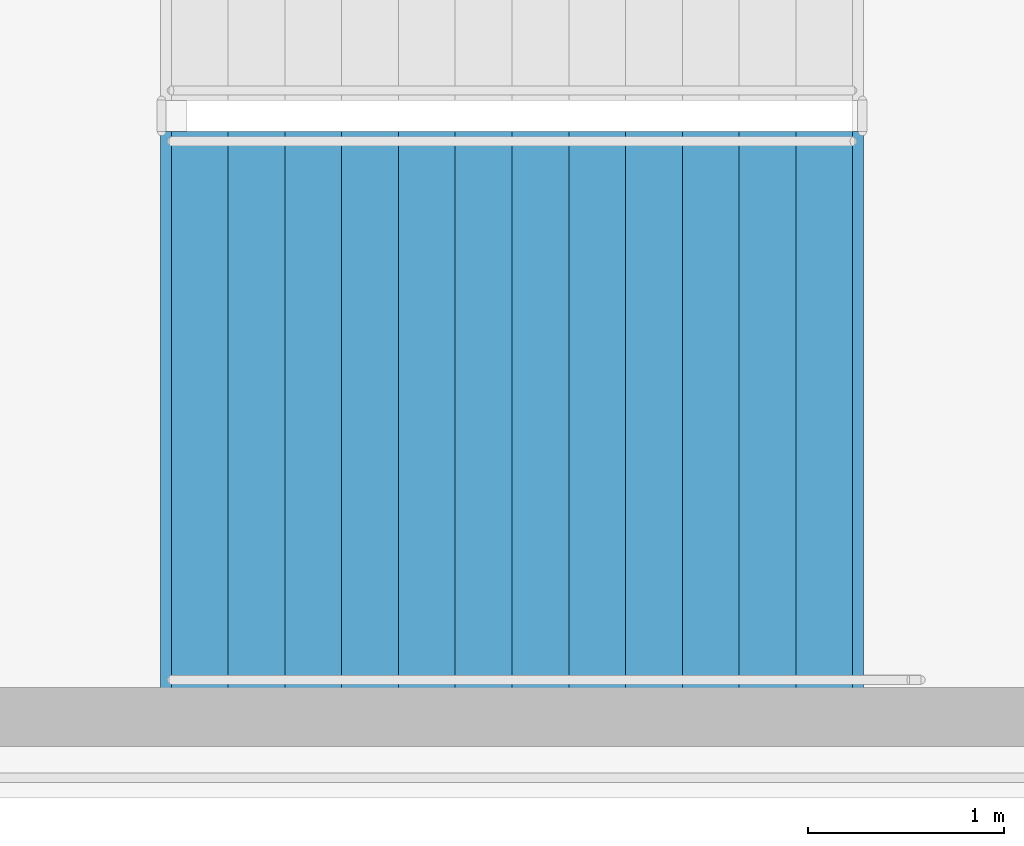
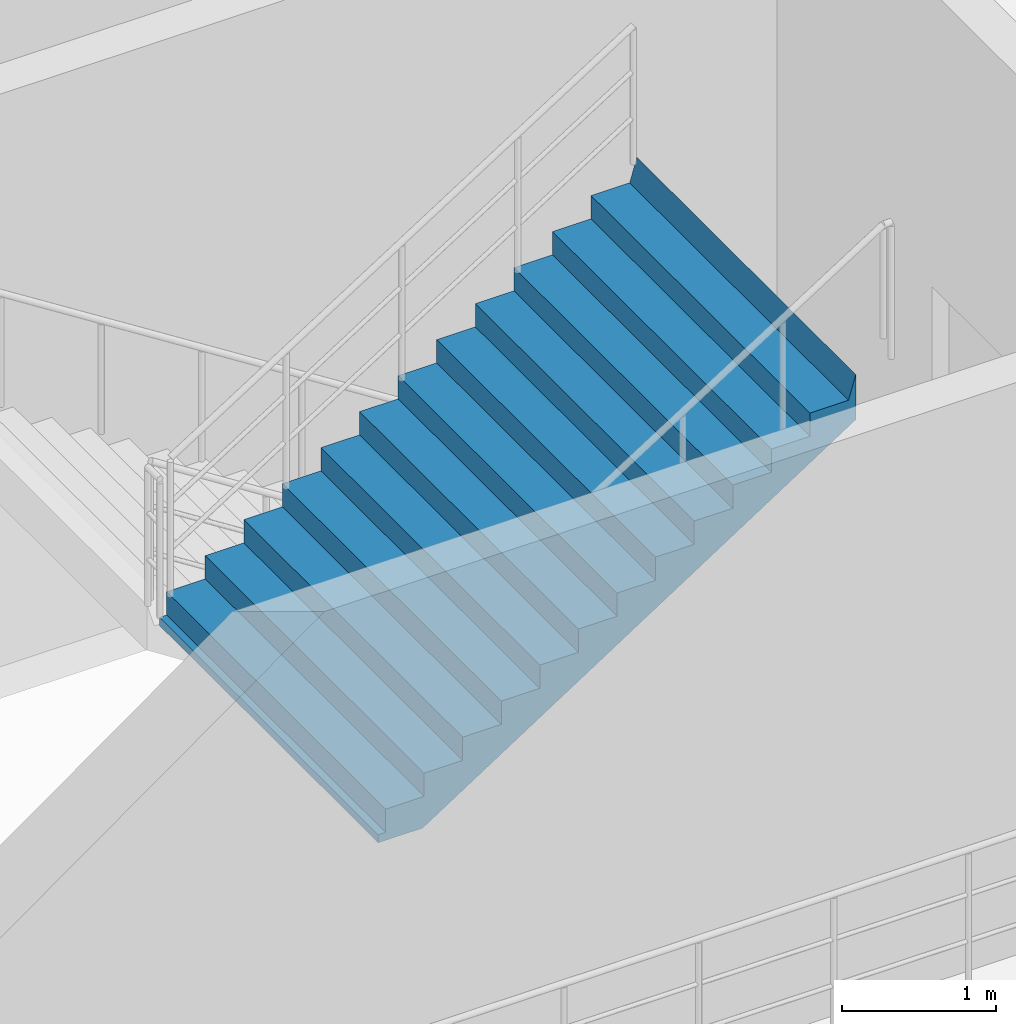
# One storey, part 124 of 144: 1 stair flight, 1 element without a shape of its own.
"""IFC4 building model written with IfcOpenShell, lengths in metres."""

from ifc_helpers import new_model, si_unit, direction, frame, origin, place, context, subcontext, project, spatial, polyline, outline, extrude, material, type_object, element, aggregate, save


model = new_model("IFC4")

# Units and contexts
model_context = context("Model", 3, precision=1e-05, world=origin(), true_north=direction((0.0, 1.0)))
body_context = subcontext(model_context, "Body", "Model", "MODEL_VIEW")
ifc_project = project(units=[si_unit("LENGTHUNIT", "METRE"), si_unit("AREAUNIT", "SQUARE_METRE"), si_unit("VOLUMEUNIT", "CUBIC_METRE"), si_unit("PLANEANGLEUNIT", "RADIAN"), si_unit("MASSUNIT", "GRAM", prefix="KILO")], contexts=[model_context])

# Site, building, storey
site_placement = place(None, origin())
site = spatial("IfcSite", under=ifc_project, at=site_placement, CompositionType="ELEMENT")
building_placement = place(site_placement, origin())
building = spatial("IfcBuilding", under=site, at=building_placement, Name="Cinderbank Siding Concert Hall", CompositionType="ELEMENT")
storey_placement = place(building_placement, frame((0.0, 0.0, 5.39990234375)))
storey = spatial("IfcBuildingStorey", under=building, at=storey_placement, Name="L02", CompositionType="ELEMENT", Elevation=5.39990234375)

# Stair, stair flight
ifc_material = material(Name="Reinforced concrete AS 3600 N50 (50 MPa)", Category="concrete")
stair_type = type_object("IfcStairType", Name="STR-J Dogleg Exit Stair 2850mm", PredefinedType="HALF_TURN_STAIR", material=ifc_material)
stair_placement = place(storey_placement, origin())
stair = element("IfcStair", 1, at=stair_placement, inside=storey, type_object=stair_type, Name="L02 East Link South Exit Stair ST-12", PredefinedType="HALF_TURN_STAIR")
stair_flight_type = type_object("IfcStairFlightType", Name="SFL-J Concrete Stair Flight 2850mm", PredefinedType="STRAIGHT", material=ifc_material)
stair_flight_placement = place(storey_placement, frame((157.3701171875, 60.27490234375, 2.400146484375), z_axis=(0.0, 0.0, 1.0), x_axis=(1.0, 0.0, 0.0)))
stair_flight = element("IfcStairFlight", 2, at=stair_flight_placement, type_object=stair_flight_type, Name="ST-12 flight 2", NumberOfRisers=13, NumberOfTreads=12, PredefinedType="STRAIGHT", RiserHeight=0.184615385, TreadLength=0.29, context=body_context, shape_type="SweptSolid", body=[
    extrude(outline(polyline([(0.0, 0.0), (0.0, 0.1845703125), (0.2900390625, 0.1845703125), (0.2900390625, 0.369140625), (0.580078125, 0.369140625), (0.580078125, 0.553955078125), (0.8701171875, 0.553955078125), (0.8701171875, 0.738525390625), (1.159912109375, 0.738525390625), (1.159912109375, 0.923095703125), (1.449951171875, 0.923095703125), (1.449951171875, 1.107666015625), (1.739990234375, 1.107666015625), (1.739990234375, 1.292236328125), (2.030029296875, 1.292236328125), (2.030029296875, 1.476806640625), (2.320068359375, 1.476806640625), (2.320068359375, 1.66162109375), (2.610107421875, 1.66162109375), (2.610107421875, 1.84619140625), (2.89990234375, 1.84619140625), (2.89990234375, 2.03076171875), (3.18994140625, 2.03076171875), (3.18994140625, 2.21533203125), (3.47998046875, 2.21533203125), (3.534912109375, 2.39990234375), (3.534912109375, 2.03759765625), (3.53466796875, 2.037841796875), (3.53466796875, 2.0380859375), (3.53466796875, 2.038330078125), (3.53466796875, 2.03857421875), (3.53466796875, 2.038818359375), (3.53466796875, 2.0390625), (3.53466796875, 2.039306640625), (3.53466796875, 2.03955078125), (3.53466796875, 2.039794921875), (3.53466796875, 2.0400390625), (3.53466796875, 2.040283203125), (3.53466796875, 2.04052734375), (3.534423828125, 2.04052734375), (3.534423828125, 2.040283203125), (3.534423828125, 2.0400390625), (3.534423828125, 2.039794921875), (3.534423828125, 2.03955078125), (3.534423828125, 2.039306640625), (3.534423828125, 2.0390625), (3.534423828125, 2.038818359375), (3.534423828125, 2.03857421875), (3.534423828125, 2.038330078125), (3.534423828125, 2.0380859375), (3.534423828125, 2.037841796875), (3.534423828125, 2.03759765625), (3.5341796875, 2.037841796875), (3.5341796875, 2.0380859375), (3.5341796875, 2.038330078125), (3.5341796875, 2.03857421875), (3.5341796875, 2.038818359375), (3.5341796875, 2.0390625), (3.5341796875, 2.039306640625), (3.5341796875, 2.03955078125), (3.5341796875, 2.039794921875), (3.5341796875, 2.0400390625), (3.5341796875, 2.040283203125), (3.5341796875, 2.04052734375), (3.533935546875, 2.04052734375), (3.533935546875, 2.040283203125), (3.533935546875, 2.0400390625), (3.533935546875, 2.039794921875), (3.533935546875, 2.03955078125), (3.533935546875, 2.039306640625), (3.533935546875, 2.0390625), (3.533935546875, 2.038818359375), (3.533935546875, 2.03857421875), (3.533935546875, 2.038330078125), (3.533935546875, 2.0380859375), (3.533935546875, 2.037841796875), (3.533935546875, 2.03759765625), (3.53369140625, 2.037841796875), (3.53369140625, 2.0380859375), (3.53369140625, 2.038330078125), (3.53369140625, 2.03857421875), (3.53369140625, 2.038818359375), (3.53369140625, 2.0390625), (3.53369140625, 2.039306640625), (3.53369140625, 2.03955078125), (3.53369140625, 2.039794921875), (3.53369140625, 2.0400390625), (3.53369140625, 2.040283203125), (3.53369140625, 2.04052734375), (3.533447265625, 2.04052734375), (3.533447265625, 2.040283203125), (3.533447265625, 2.0400390625), (3.533447265625, 2.039794921875), (3.533447265625, 2.03955078125), (3.533447265625, 2.039306640625), (3.533447265625, 2.0390625), (3.533447265625, 2.038818359375), (3.533447265625, 2.03857421875), (3.533447265625, 2.038330078125), (3.533447265625, 2.0380859375), (3.533447265625, 2.037841796875), (3.533447265625, 2.03759765625), (3.533203125, 2.037841796875), (3.533203125, 2.0380859375), (3.533203125, 2.038330078125), (3.533203125, 2.03857421875), (3.533203125, 2.038818359375), (3.533203125, 2.0390625), (3.533203125, 2.039306640625), (3.533203125, 2.03955078125), (3.533203125, 2.039794921875), (3.533203125, 2.0400390625), (3.533203125, 2.040283203125), (3.533203125, 2.04052734375), (3.532958984375, 2.04052734375), (3.532958984375, 2.040283203125), (3.532958984375, 2.0400390625), (3.532958984375, 2.039794921875), (3.532958984375, 2.03955078125), (3.532958984375, 2.039306640625), (3.532958984375, 2.0390625), (3.532958984375, 2.038818359375), (3.532958984375, 2.03857421875), (3.532958984375, 2.038330078125), (3.532958984375, 2.0380859375), (3.532958984375, 2.037841796875), (3.532958984375, 2.03759765625), (3.53271484375, 2.037841796875), (3.53271484375, 2.0380859375), (3.53271484375, 2.038330078125), (3.53271484375, 2.03857421875), (3.53271484375, 2.038818359375), (3.53271484375, 2.0390625), (3.53271484375, 2.039306640625), (3.53271484375, 2.03955078125), (3.53271484375, 2.039794921875), (3.53271484375, 2.0400390625), (3.53271484375, 2.040283203125), (3.53271484375, 2.04052734375), (3.532470703125, 2.04052734375), (3.532470703125, 2.040283203125), (3.532470703125, 2.0400390625), (3.532470703125, 2.039794921875), (3.532470703125, 2.03955078125), (3.532470703125, 2.039306640625), (3.532470703125, 2.0390625), (3.532470703125, 2.038818359375), (3.532470703125, 2.03857421875), (3.532470703125, 2.038330078125), (3.532470703125, 2.0380859375), (3.532470703125, 2.037841796875), (3.532470703125, 2.03759765625), (3.5322265625, 2.037841796875), (3.5322265625, 2.0380859375), (3.5322265625, 2.038330078125), (3.5322265625, 2.03857421875), (3.5322265625, 2.038818359375), (3.5322265625, 2.0390625), (3.5322265625, 2.039306640625), (3.5322265625, 2.03955078125), (3.5322265625, 2.039794921875), (3.5322265625, 2.0400390625), (3.5322265625, 2.040283203125), (3.5322265625, 2.04052734375), (3.531982421875, 2.04052734375), (3.531982421875, 2.040283203125), (3.531982421875, 2.0400390625), (3.531982421875, 2.039794921875), (3.531982421875, 2.03955078125), (3.531982421875, 2.039306640625), (3.531982421875, 2.0390625), (3.531982421875, 2.038818359375), (3.531982421875, 2.03857421875), (3.531982421875, 2.038330078125), (3.531982421875, 2.0380859375), (3.531982421875, 2.037841796875), (3.531982421875, 2.03759765625), (3.53173828125, 2.037841796875), (3.53173828125, 2.0380859375), (3.53173828125, 2.038330078125), (3.53173828125, 2.03857421875), (3.53173828125, 2.038818359375), (3.53173828125, 2.0390625), (3.53173828125, 2.039306640625), (3.53173828125, 2.03955078125), (3.53173828125, 2.039794921875), (3.53173828125, 2.0400390625), (3.53173828125, 2.040283203125), (3.53173828125, 2.04052734375), (3.531494140625, 2.04052734375), (3.531494140625, 2.040283203125), (3.531494140625, 2.0400390625), (3.531494140625, 2.039794921875), (3.531494140625, 2.03955078125), (3.531494140625, 2.039306640625), (3.531494140625, 2.0390625), (3.531494140625, 2.038818359375), (3.531494140625, 2.03857421875), (3.531494140625, 2.038330078125), (3.531494140625, 2.0380859375), (3.531494140625, 2.037841796875), (3.531494140625, 2.03759765625), (3.53125, 2.037841796875), (3.53125, 2.0380859375), (3.53125, 2.038330078125), (3.53125, 2.03857421875), (3.53125, 2.038818359375), (3.53125, 2.0390625), (3.53125, 2.039306640625), (3.53125, 2.03955078125), (3.53125, 2.039794921875), (3.53125, 2.0400390625), (3.53125, 2.040283203125), (3.53125, 2.04052734375), (3.531005859375, 2.04052734375), (3.531005859375, 2.040283203125), (3.531005859375, 2.0400390625), (3.531005859375, 2.039794921875), (3.531005859375, 2.03955078125), (3.531005859375, 2.039306640625), (3.531005859375, 2.0390625), (3.531005859375, 2.038818359375), (3.531005859375, 2.03857421875), (3.531005859375, 2.038330078125), (3.531005859375, 2.0380859375), (3.531005859375, 2.037841796875), (3.531005859375, 2.03759765625), (3.53076171875, 2.037841796875), (3.53076171875, 2.0380859375), (3.53076171875, 2.038330078125), (3.53076171875, 2.03857421875), (3.53076171875, 2.038818359375), (3.53076171875, 2.0390625), (3.53076171875, 2.039306640625), (3.53076171875, 2.03955078125), (3.53076171875, 2.039794921875), (3.53076171875, 2.0400390625), (3.53076171875, 2.040283203125), (3.53076171875, 2.04052734375), (3.530517578125, 2.04052734375), (3.530517578125, 2.040283203125), (3.530517578125, 2.0400390625), (3.530517578125, 2.039794921875), (3.530517578125, 2.03955078125), (3.530517578125, 2.039306640625), (3.530517578125, 2.0390625), (3.530517578125, 2.038818359375), (3.530517578125, 2.03857421875), (3.530517578125, 2.038330078125), (3.530517578125, 2.0380859375), (3.530517578125, 2.037841796875), (3.530517578125, 2.03759765625), (3.5302734375, 2.037841796875), (3.5302734375, 2.0380859375), (3.5302734375, 2.038330078125), (3.5302734375, 2.03857421875), (3.5302734375, 2.038818359375), (3.5302734375, 2.0390625), (3.5302734375, 2.039306640625), (3.5302734375, 2.03955078125), (3.5302734375, 2.039794921875), (3.5302734375, 2.0400390625), (3.5302734375, 2.040283203125), (3.5302734375, 2.04052734375), (3.530029296875, 2.04052734375), (3.530029296875, 2.040283203125), (3.530029296875, 2.0400390625), (3.530029296875, 2.039794921875), (3.530029296875, 2.03955078125), (3.530029296875, 2.039306640625), (3.530029296875, 2.0390625), (3.530029296875, 2.038818359375), (3.530029296875, 2.03857421875), (3.530029296875, 2.038330078125), (3.530029296875, 2.0380859375), (3.530029296875, 2.037841796875), (3.530029296875, 2.03759765625), (3.52978515625, 2.037841796875), (3.52978515625, 2.0380859375), (3.52978515625, 2.038330078125), (3.52978515625, 2.03857421875), (3.52978515625, 2.038818359375), (3.52978515625, 2.0390625), (3.52978515625, 2.039306640625), (3.52978515625, 2.03955078125), (3.52978515625, 2.039794921875), (3.52978515625, 2.0400390625), (3.52978515625, 2.040283203125), (3.52978515625, 2.04052734375), (3.529541015625, 2.04052734375), (3.529541015625, 2.040283203125), (3.529541015625, 2.0400390625), (3.529541015625, 2.039794921875), (3.529541015625, 2.03955078125), (3.529541015625, 2.039306640625), (3.529541015625, 2.0390625), (3.529541015625, 2.038818359375), (3.529541015625, 2.03857421875), (3.529541015625, 2.038330078125), (3.529541015625, 2.0380859375), (3.529541015625, 2.037841796875), (3.529541015625, 2.03759765625), (3.529296875, 2.037841796875), (3.529296875, 2.0380859375), (3.529296875, 2.038330078125), (3.529296875, 2.03857421875), (3.529296875, 2.038818359375), (3.529296875, 2.0390625), (3.529296875, 2.039306640625), (3.529296875, 2.03955078125), (3.529296875, 2.039794921875), (3.529296875, 2.0400390625), (3.529296875, 2.040283203125), (3.529296875, 2.04052734375), (3.529052734375, 2.04052734375), (3.529052734375, 2.040283203125), (3.529052734375, 2.0400390625), (3.529052734375, 2.039794921875), (3.529052734375, 2.03955078125), (3.529052734375, 2.039306640625), (3.529052734375, 2.0390625), (3.529052734375, 2.038818359375), (3.529052734375, 2.03857421875), (3.529052734375, 2.038330078125), (3.529052734375, 2.0380859375), (3.529052734375, 2.037841796875), (3.529052734375, 2.03759765625), (3.52880859375, 2.037841796875), (3.52880859375, 2.0380859375), (3.52880859375, 2.038330078125), (3.52880859375, 2.03857421875), (3.52880859375, 2.038818359375), (3.52880859375, 2.0390625), (3.52880859375, 2.039306640625), (3.52880859375, 2.03955078125), (3.52880859375, 2.039794921875), (3.52880859375, 2.0400390625), (3.52880859375, 2.040283203125), (3.52880859375, 2.04052734375), (3.528564453125, 2.04052734375), (3.528564453125, 2.040283203125), (3.528564453125, 2.0400390625), (3.528564453125, 2.039794921875), (3.528564453125, 2.03955078125), (3.528564453125, 2.039306640625), (3.528564453125, 2.0390625), (3.528564453125, 2.038818359375), (3.528564453125, 2.03857421875), (3.528564453125, 2.038330078125), (3.528564453125, 2.0380859375), (3.528564453125, 2.037841796875), (3.528564453125, 2.03759765625), (0.279052734375, -0.06396484375), (-0.048583984375, -0.063720703125), (-0.048583984375, -0.0634765625), (-0.048583984375, -0.063232421875), (-0.048583984375, -0.06298828125), (-0.048583984375, -0.062744140625), (-0.048583984375, -0.0625), (-0.048583984375, -0.062255859375), (-0.048583984375, -0.06201171875), (-0.048583984375, -0.061767578125), (-0.048583984375, -0.0615234375), (-0.048583984375, -0.061279296875), (-0.048583984375, -0.06103515625), (-0.048828125, -0.06103515625), (-0.048828125, -0.061279296875), (-0.048828125, -0.0615234375), (-0.048828125, -0.061767578125), (-0.048828125, -0.06201171875), (-0.048828125, -0.062255859375), (-0.048828125, -0.0625), (-0.048828125, -0.062744140625), (-0.048828125, -0.06298828125), (-0.048828125, -0.063232421875), (-0.048828125, -0.0634765625), (-0.048828125, -0.063720703125), (-0.048828125, -0.06396484375), (-0.049072265625, -0.063720703125), (-0.049072265625, -0.0634765625), (-0.049072265625, -0.063232421875), (-0.049072265625, -0.06298828125), (-0.049072265625, -0.062744140625), (-0.049072265625, -0.0625), (-0.049072265625, -0.062255859375), (-0.049072265625, -0.06201171875), (-0.049072265625, -0.061767578125), (-0.049072265625, -0.0615234375), (-0.049072265625, -0.061279296875), (-0.049072265625, -0.06103515625), (-0.04931640625, -0.06103515625), (-0.04931640625, -0.061279296875), (-0.04931640625, -0.0615234375), (-0.04931640625, -0.061767578125), (-0.04931640625, -0.06201171875), (-0.04931640625, -0.062255859375), (-0.04931640625, -0.0625), (-0.04931640625, -0.062744140625), (-0.04931640625, -0.06298828125), (-0.04931640625, -0.063232421875), (-0.04931640625, -0.0634765625), (-0.04931640625, -0.063720703125), (-0.04931640625, -0.06396484375), (-0.049560546875, -0.063720703125), (-0.049560546875, -0.0634765625), (-0.049560546875, -0.063232421875), (-0.049560546875, -0.06298828125), (-0.049560546875, -0.062744140625), (-0.049560546875, -0.0625), (-0.049560546875, -0.062255859375), (-0.049560546875, -0.06201171875), (-0.049560546875, -0.061767578125), (-0.049560546875, -0.0615234375), (-0.049560546875, -0.061279296875), (-0.049560546875, -0.06103515625), (-0.0498046875, -0.06103515625), (-0.0498046875, -0.061279296875), (-0.0498046875, -0.0615234375), (-0.0498046875, -0.061767578125), (-0.0498046875, -0.06201171875), (-0.0498046875, -0.062255859375), (-0.0498046875, -0.0625), (-0.0498046875, -0.062744140625), (-0.0498046875, -0.06298828125), (-0.0498046875, -0.063232421875), (-0.0498046875, -0.0634765625), (-0.0498046875, -0.063720703125), (-0.0498046875, -0.06396484375), (-0.050048828125, -0.063720703125), (-0.050048828125, -0.0634765625), (-0.050048828125, -0.063232421875), (-0.050048828125, -0.06298828125), (-0.050048828125, -0.062744140625), (-0.050048828125, -0.0625), (-0.050048828125, -0.062255859375), (-0.050048828125, -0.06201171875), (-0.050048828125, -0.061767578125), (-0.050048828125, -0.0615234375), (-0.050048828125, -0.061279296875), (-0.050048828125, -0.06103515625), (-0.05029296875, -0.06103515625), (-0.05029296875, -0.061279296875), (-0.05029296875, -0.0615234375), (-0.05029296875, -0.061767578125), (-0.05029296875, -0.06201171875), (-0.05029296875, -0.062255859375), (-0.05029296875, -0.0625), (-0.05029296875, -0.062744140625), (-0.05029296875, -0.06298828125), (-0.05029296875, -0.063232421875), (-0.05029296875, -0.0634765625), (-0.05029296875, -0.063720703125), (-0.05029296875, -0.06396484375), (-0.050537109375, -0.063720703125), (-0.050537109375, -0.0634765625), (-0.050537109375, -0.063232421875), (-0.050537109375, -0.06298828125), (-0.050537109375, -0.062744140625), (-0.050537109375, -0.0625), (-0.050537109375, -0.062255859375), (-0.050537109375, -0.06201171875), (-0.050537109375, -0.061767578125), (-0.050537109375, -0.0615234375), (-0.050537109375, -0.061279296875), (-0.050537109375, -0.06103515625), (-0.05078125, -0.06103515625), (-0.05078125, -0.061279296875), (-0.05078125, -0.0615234375), (-0.05078125, -0.061767578125), (-0.05078125, -0.06201171875), (-0.05078125, -0.062255859375), (-0.05078125, -0.0625), (-0.05078125, -0.062744140625), (-0.05078125, -0.06298828125), (-0.05078125, -0.063232421875), (-0.05078125, -0.0634765625), (-0.05078125, -0.063720703125), (-0.05078125, -0.06396484375), (-0.051025390625, -0.063720703125), (-0.051025390625, -0.0634765625), (-0.051025390625, -0.063232421875), (-0.051025390625, -0.06298828125), (-0.051025390625, -0.062744140625), (-0.051025390625, -0.0625), (-0.051025390625, -0.062255859375), (-0.051025390625, -0.06201171875), (-0.051025390625, -0.061767578125), (-0.051025390625, -0.0615234375), (-0.051025390625, -0.061279296875), (-0.051025390625, -0.06103515625), (-0.05126953125, -0.06103515625), (-0.05126953125, -0.061279296875), (-0.05126953125, -0.0615234375), (-0.05126953125, -0.061767578125), (-0.05126953125, -0.06201171875), (-0.05126953125, -0.062255859375), (-0.05126953125, -0.0625), (-0.05126953125, -0.062744140625), (-0.05126953125, -0.06298828125), (-0.05126953125, -0.063232421875), (-0.05126953125, -0.0634765625), (-0.05126953125, -0.063720703125), (-0.05126953125, -0.06396484375), (-0.051513671875, -0.063720703125), (-0.051513671875, -0.0634765625), (-0.051513671875, -0.063232421875), (-0.051513671875, -0.06298828125), (-0.051513671875, -0.062744140625), (-0.051513671875, -0.0625), (-0.051513671875, -0.062255859375), (-0.051513671875, -0.06201171875), (-0.051513671875, -0.061767578125), (-0.051513671875, -0.0615234375), (-0.051513671875, -0.061279296875), (-0.051513671875, -0.06103515625), (-0.0517578125, -0.06103515625), (-0.0517578125, -0.061279296875), (-0.0517578125, -0.0615234375), (-0.0517578125, -0.061767578125), (-0.0517578125, -0.06201171875), (-0.0517578125, -0.062255859375), (-0.0517578125, -0.0625), (-0.0517578125, -0.062744140625), (-0.0517578125, -0.06298828125), (-0.0517578125, -0.063232421875), (-0.0517578125, -0.0634765625), (-0.0517578125, -0.063720703125), (-0.0517578125, -0.06396484375), (-0.052001953125, -0.063720703125), (-0.052001953125, -0.0634765625), (-0.052001953125, -0.063232421875), (-0.052001953125, -0.06298828125), (-0.052001953125, -0.062744140625), (-0.052001953125, -0.0625), (-0.052001953125, -0.062255859375), (-0.052001953125, -0.06201171875), (-0.052001953125, -0.061767578125), (-0.052001953125, -0.0615234375), (-0.052001953125, -0.061279296875), (-0.052001953125, -0.06103515625), (-0.05224609375, -0.06103515625), (-0.05224609375, -0.061279296875), (-0.05224609375, -0.0615234375), (-0.05224609375, -0.061767578125), (-0.05224609375, -0.06201171875), (-0.05224609375, -0.062255859375), (-0.05224609375, -0.0625), (-0.05224609375, -0.062744140625), (-0.05224609375, -0.06298828125), (-0.05224609375, -0.063232421875), (-0.05224609375, -0.0634765625), (-0.05224609375, -0.063720703125), (-0.05224609375, -0.06396484375), (-0.052490234375, -0.063720703125), (-0.052490234375, -0.0634765625), (-0.052490234375, -0.063232421875), (-0.052490234375, -0.06298828125), (-0.052490234375, -0.062744140625), (-0.052490234375, -0.0625), (-0.052490234375, -0.062255859375), (-0.052490234375, -0.06201171875), (-0.052490234375, -0.061767578125), (-0.052490234375, -0.0615234375), (-0.052490234375, -0.061279296875), (-0.052490234375, -0.06103515625), (-0.052734375, -0.06103515625), (-0.052734375, -0.061279296875), (-0.052734375, -0.0615234375), (-0.052734375, -0.061767578125), (-0.052734375, -0.06201171875), (-0.052734375, -0.062255859375), (-0.052734375, -0.0625), (-0.052734375, -0.062744140625), (-0.052734375, -0.06298828125), (-0.052734375, -0.063232421875), (-0.052734375, -0.0634765625), (-0.052734375, -0.063720703125), (-0.052734375, -0.06396484375), (-0.052978515625, -0.063720703125), (-0.052978515625, -0.0634765625), (-0.052978515625, -0.063232421875), (-0.052978515625, -0.06298828125), (-0.052978515625, -0.062744140625), (-0.052978515625, -0.0625), (-0.052978515625, -0.062255859375), (-0.052978515625, -0.06201171875), (-0.052978515625, -0.061767578125), (-0.052978515625, -0.0615234375), (-0.052978515625, -0.061279296875), (-0.052978515625, -0.06103515625), (-0.05322265625, -0.06103515625), (-0.05322265625, -0.061279296875), (-0.05322265625, -0.0615234375), (-0.05322265625, -0.061767578125), (-0.05322265625, -0.06201171875), (-0.05322265625, -0.062255859375), (-0.05322265625, -0.0625), (-0.05322265625, -0.062744140625), (-0.05322265625, -0.06298828125), (-0.05322265625, -0.063232421875), (-0.05322265625, -0.0634765625), (-0.05322265625, -0.063720703125), (-0.05322265625, -0.06396484375), (-0.053466796875, -0.063720703125), (-0.053466796875, -0.0634765625), (-0.053466796875, -0.063232421875), (-0.053466796875, -0.06298828125), (-0.053466796875, -0.062744140625), (-0.053466796875, -0.0625), (-0.053466796875, -0.062255859375), (-0.053466796875, -0.06201171875), (-0.053466796875, -0.061767578125), (-0.053466796875, -0.0615234375), (-0.053466796875, -0.061279296875), (-0.053466796875, -0.06103515625), (-0.0537109375, -0.06103515625), (-0.0537109375, -0.061279296875), (-0.0537109375, -0.0615234375), (-0.0537109375, -0.061767578125), (-0.0537109375, -0.06201171875), (-0.0537109375, -0.062255859375), (-0.0537109375, -0.0625), (-0.0537109375, -0.062744140625), (-0.0537109375, -0.06298828125), (-0.0537109375, -0.063232421875), (-0.0537109375, -0.0634765625), (-0.0537109375, -0.063720703125), (-0.0537109375, -0.06396484375), (-0.053955078125, -0.063720703125), (-0.053955078125, -0.0634765625), (-0.053955078125, -0.063232421875), (-0.053955078125, -0.06298828125), (-0.053955078125, -0.062744140625), (-0.053955078125, -0.0625), (-0.053955078125, -0.062255859375), (-0.053955078125, -0.06201171875), (-0.053955078125, -0.061767578125), (-0.053955078125, -0.0615234375), (-0.053955078125, -0.061279296875), (-0.053955078125, -0.06103515625), (-0.05419921875, -0.06103515625), (-0.05419921875, -0.061279296875), (-0.05419921875, -0.0615234375), (-0.05419921875, -0.061767578125), (-0.05419921875, -0.06201171875), (-0.05419921875, -0.062255859375), (-0.05419921875, -0.0625), (-0.05419921875, -0.062744140625), (-0.05419921875, -0.06298828125), (-0.05419921875, -0.063232421875), (-0.05419921875, -0.0634765625), (-0.05419921875, -0.063720703125), (-0.05419921875, -0.06396484375), (-0.054443359375, -0.063720703125), (-0.054443359375, -0.0634765625), (-0.054443359375, -0.063232421875), (-0.054443359375, -0.06298828125), (-0.054443359375, -0.062744140625), (-0.054443359375, -0.0625), (-0.054443359375, -0.062255859375), (-0.054443359375, -0.06201171875), (-0.054443359375, -0.061767578125), (-0.054443359375, -0.0615234375), (-0.054443359375, -0.061279296875), (-0.054443359375, -0.06103515625), (-0.0546875, -0.06103515625), (-0.0546875, -0.061279296875), (-0.0546875, -0.0615234375), (-0.0546875, -0.061767578125), (-0.0546875, -0.06201171875), (-0.0546875, -0.062255859375), (-0.0546875, -0.0625), (-0.0546875, -0.062744140625), (-0.0546875, -0.06298828125), (-0.0546875, -0.063232421875), (-0.0546875, -0.0634765625), (-0.0546875, -0.063720703125), (-0.0546875, -0.06396484375), (-0.054931640625, -0.06396484375), (-0.054931640625, 0.0), (0.0, 0.0)])), frame((0.0, 1.425048828125, 0.0), z_axis=(0.0, -1.0, 0.0), x_axis=(1.0, 0.0, 0.0)), (0.0, 0.0, 1.0), 2.85009765625),
])
aggregate(stair, [stair_flight])

save(model, "model.ifc")
